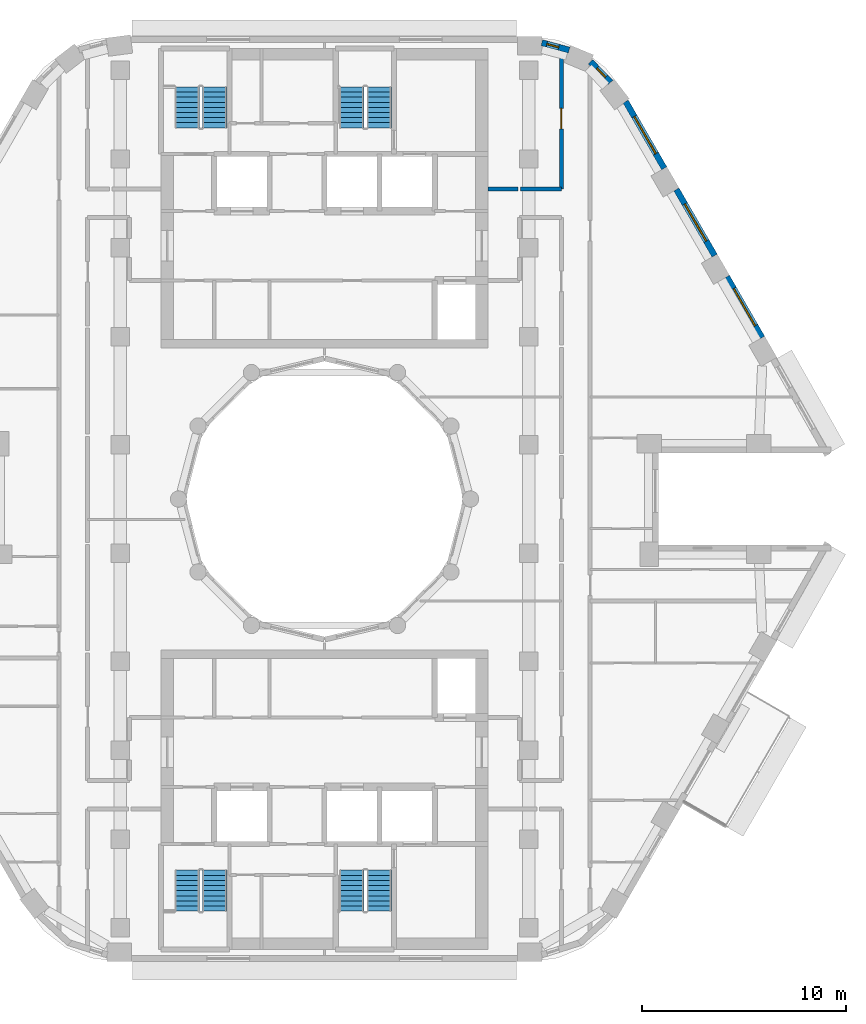
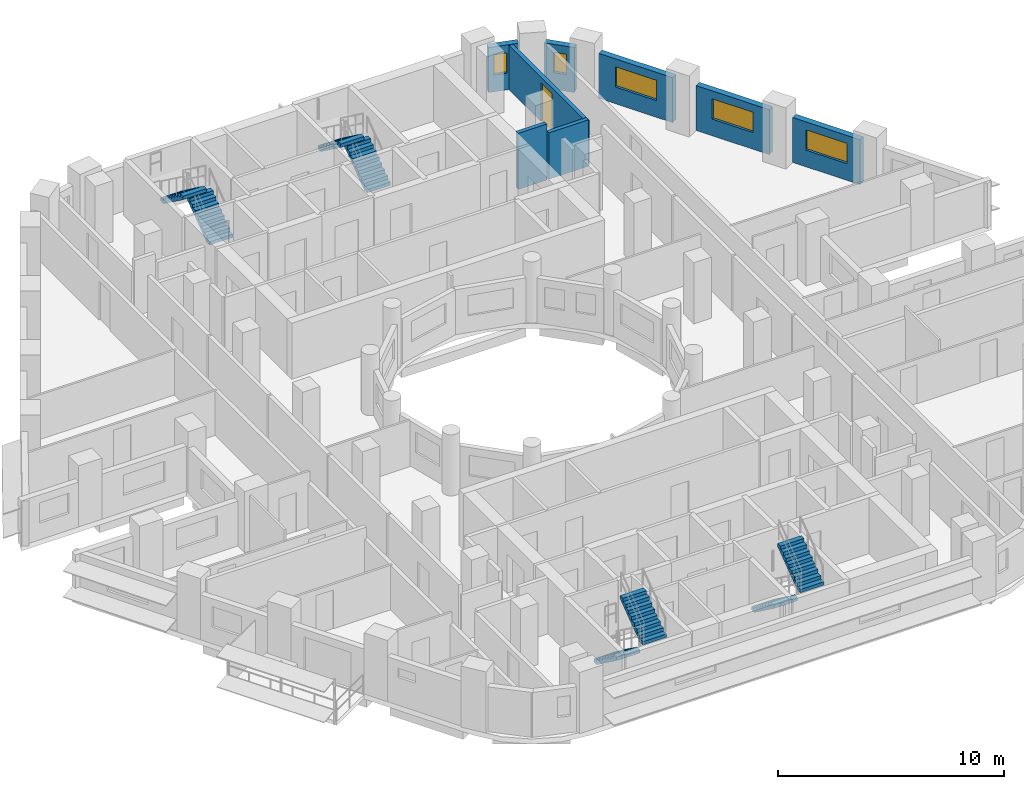
# One storey, part 9 of 15: 8 stair flights, 8 walls, 5 windows, 1 door, 6 openings, 4 elements without a shape of their own.
"""IFC4 building model written with IfcOpenShell, lengths in metres."""

from ifc_helpers import new_model, si_unit, direction, frame, frame_2d, origin, place, context, subcontext, project, spatial, polyline, rectangle, outline, extrude, material, layer, layer_set, type_object, element, fill, aggregate, save


model = new_model("IFC4")

# Units and contexts
model_context = context("Model", 3, precision=1e-05, world=origin(), true_north=direction((0.0, 1.0)))
body_context = subcontext(model_context, "Body", "Model", "MODEL_VIEW")
ifc_project = project(units=[si_unit("LENGTHUNIT", "METRE"), si_unit("AREAUNIT", "SQUARE_METRE"), si_unit("VOLUMEUNIT", "CUBIC_METRE"), si_unit("PLANEANGLEUNIT", "RADIAN"), si_unit("MASSUNIT", "GRAM", prefix="KILO")], contexts=[model_context])

# Site, building, storey
site_placement = place(None, origin())
site = spatial("IfcSite", under=ifc_project, at=site_placement, CompositionType="ELEMENT")
building_placement = place(site_placement, origin())
building = spatial("IfcBuilding", under=site, at=building_placement, Name="Nakaniwa Court", CompositionType="ELEMENT")
storey_placement = place(building_placement, frame((0.0, 0.0, 183.300048828125)))
storey = spatial("IfcBuildingStorey", under=building, at=storey_placement, Name="L47", CompositionType="ELEMENT", Elevation=183.300048828125)

# Wall, opening, door
ifc_material_1 = material(Name="Acoustic double stud partition")
ifc_layer_1 = layer(ifc_material_1, 0.199951171875)
ifc_layer_set_1 = layer_set([ifc_layer_1], Name="Acoustic double stud partition")
wall_type_1 = type_object("IfcWallType", Name="Acoustic double stud partition 200", PredefinedType="PARTITIONING", material=ifc_layer_set_1)
wall_1_placement = place(storey_placement, frame((91.60009765625, 95.175048828125, 0.0), z_axis=(0.0, 0.0, 1.0), x_axis=(0.0, 1.0, 0.0)))
wall_1 = element("IfcWall", 1, at=wall_1_placement, inside=storey, type_object=wall_type_1, Name="Partition PW-073", PredefinedType="PARTITIONING", context=body_context, shape_type="SweptSolid", body=[
    extrude(rectangle(XDim=6.898681640625, YDim=0.199951171875, at=frame_2d((3.44921875, 0.0))), origin(), (0.0, 0.0, 1.0), 2.405029296875),
])
opening_1_placement = place(wall_1_placement, frame((2.949951171875, 0.0, 0.0)))
opening_1 = element("IfcOpeningElement", 2, at=opening_1_placement, cuts=wall_1, Name="Opening D-02-09", PredefinedType="OPENING", context=body_context, shape_type="SweptSolid", body=[
    extrude(rectangle(XDim=1.0, YDim=2.10009765625, at=frame_2d((0.5, 1.050048828125))), frame((0.0, 0.10986328125, 0.0), z_axis=(0.0, -1.0, 0.0), x_axis=(1.0, 0.0, 0.0)), (0.0, 0.0, 1.0), 0.219970703125),
])
ifc_material_2 = material(Name="Solid core timber door set, black veneer", Category="wood")
door_type = type_object("IfcDoorType", Name="Internal door 1000", OperationType="NOTDEFINED", PredefinedType="DOOR", material=ifc_material_2)
door_placement = place(opening_1_placement, origin())
door = element("IfcDoor", 3, at=door_placement, inside=storey, type_object=door_type, Name="Door D-02-09 L47-049", OperationType="SINGLE_SWING_RIGHT", OverallHeight=2.10009765625, OverallWidth=1.0, PredefinedType="DOOR", context=body_context, shape_type="SweptSolid", body=[
    extrude(rectangle(XDim=1.0, YDim=2.10009765625, at=frame_2d((0.5, 1.050048828125))), frame((0.0, 0.02490234375, 0.0), z_axis=(0.0, -1.0, 0.0), x_axis=(1.0, 0.0, 0.0)), (0.0, 0.0, 1.0), 0.050048828125),
])
fill(opening_1, door)

# Walls
wall_2_placement = place(storey_placement, frame((88.0, 95.175048828125, 0.0), z_axis=(0.0, 0.0, 1.0), x_axis=(1.0, 0.0, 0.0)))
element("IfcWall", 4, at=wall_2_placement, inside=storey, type_object=wall_type_1, Name="Partition PW-093", PredefinedType="PARTITIONING", context=body_context, shape_type="SweptSolid", body=[
    extrude(rectangle(XDim=1.472900390625, YDim=0.199951171875, at=frame_2d((0.736328125, 0.0))), origin(), (0.0, 0.0, 1.0), 3.02490234375),
])
wall_3_placement = place(storey_placement, frame((89.587158203125, 95.175048828125, 0.0), z_axis=(0.0, 0.0, 1.0), x_axis=(1.0, 0.0, 0.0)))
element("IfcWall", 5, at=wall_3_placement, inside=storey, type_object=wall_type_1, Name="Partition PW-094", PredefinedType="PARTITIONING", context=body_context, shape_type="SweptSolid", body=[
    extrude(rectangle(XDim=2.012939453125, YDim=0.199951171875, at=frame_2d((1.00634765625, 0.0))), origin(), (0.0, 0.0, 1.0), 2.5048828125),
])

# Wall, opening, window
ifc_material_3 = material(Name="Charcoal ceramic cladding")
ifc_layer_2 = layer(ifc_material_3, 0.02, Name="Ceramic cladding")
ifc_material_4 = material(Name="Ventilated air cavity")
ifc_layer_3 = layer(ifc_material_4, 0.04, ventilated=True, Name="Ventilated cavity")
ifc_material_5 = material(Name="Mineral wool insulation")
ifc_layer_4 = layer(ifc_material_5, 0.1, Name="Insulation")
ifc_material_6 = material(Name="Cement bonded sheathing board")
ifc_layer_5 = layer(ifc_material_6, 0.012, Name="Sheathing")
ifc_material_7 = material(Name="Cold-formed galvanised stud frame with mineral wool infill")
ifc_layer_6 = layer(ifc_material_7, 0.1, Name="Stud frame")
ifc_material_8 = material(Name="Fire-rated gypsum plasterboard lining")
ifc_layer_7 = layer(ifc_material_8, 0.028, Name="Lining")
ifc_layer_set_2 = layer_set([ifc_layer_2, ifc_layer_3, ifc_layer_4, ifc_layer_5, ifc_layer_6, ifc_layer_7], Name="Charcoal ceramic faced external wall system")
wall_type_2 = type_object("IfcWallType", Name="Black ceramic faced external wall 300", PredefinedType="SOLIDWALL", material=ifc_layer_set_2)
wall_4_placement = place(storey_placement, frame((101.420654296875, 87.898193359375, 0.0), z_axis=(0.0, 0.0, 1.0), x_axis=(-0.499955427682, 0.866051136095, 0.0)))
wall_4 = element("IfcWall", 6, at=wall_4_placement, inside=storey, type_object=wall_type_2, Name="L47 external wall 03", PredefinedType="SOLIDWALL", context=body_context, shape_type="SweptSolid", body=[
    extrude(rectangle(XDim=3.447021484375, YDim=0.300048828125, at=frame_2d((1.7236328125, 0.0))), origin(), (0.0, 0.0, 1.0), 2.425048828125),
])
opening_2_placement = place(wall_4_placement, frame((0.673583984375, 0.0, 0.89990234375)))
opening_2 = element("IfcOpeningElement", 7, at=opening_2_placement, cuts=wall_4, Name="Opening W7.03", PredefinedType="OPENING", context=body_context, shape_type="SweptSolid", body=[
    extrude(rectangle(XDim=2.10009765625, YDim=1.10009765625, at=frame_2d((1.050048828125, 0.550048828125))), frame((0.0, 0.159912109375, 0.0), z_axis=(0.0, -1.0, 0.0), x_axis=(1.0, 0.0, 0.0)), (0.0, 0.0, 1.0), 0.320068359375),
])
ifc_material_9 = material(Name="Black anodised aluminium frame with dark low-E laminated double glazing", Category="aluminium")
window_type_1 = type_object("IfcWindowType", Name="Dark glass window 2100x1100 sill 900", PartitioningType="SINGLE_PANEL", PredefinedType="WINDOW", material=ifc_material_9)
window_1_placement = place(opening_2_placement, origin())
window_1 = element("IfcWindow", 8, at=window_1_placement, inside=storey, type_object=window_type_1, Name="L47 habitable room window 03-0", OverallHeight=1.10009765625, OverallWidth=2.10009765625, PartitioningType="SINGLE_PANEL", PredefinedType="WINDOW", context=body_context, shape_type="SweptSolid", body=[
    extrude(rectangle(XDim=2.10009765625, YDim=1.10009765625, at=frame_2d((1.050048828125, 0.550048828125))), frame((0.0, 0.030029296875, 0.0), z_axis=(0.0, -1.0, 0.0), x_axis=(1.0, 0.0, 0.0)), (0.0, 0.0, 1.0), 0.06005859375),
])
fill(opening_2, window_1)

wall_5_placement = place(storey_placement, frame((99.101318359375, 91.916015625, 0.0), z_axis=(0.0, 0.0, 1.0), x_axis=(-0.500059225181, 0.86599120741, 0.0)))
wall_5 = element("IfcWall", 9, at=wall_5_placement, inside=storey, type_object=wall_type_2, Name="L47 external wall 04", PredefinedType="SOLIDWALL", context=body_context, shape_type="SweptSolid", body=[
    extrude(rectangle(XDim=3.744140625, YDim=0.300048828125, at=frame_2d((1.8720703125, 0.0))), origin(), (0.0, 0.0, 1.0), 2.425048828125),
])
opening_3_placement = place(wall_5_placement, frame((0.822265625, 0.0, 0.89990234375)))
opening_3 = element("IfcOpeningElement", 10, at=opening_3_placement, cuts=wall_5, Name="Opening W7.04", PredefinedType="OPENING", context=body_context, shape_type="SweptSolid", body=[
    extrude(rectangle(XDim=2.10009765625, YDim=1.10009765625, at=frame_2d((1.050048828125, 0.550048828125))), frame((0.0, 0.159912109375, 0.0), z_axis=(0.0, -1.0, 0.0), x_axis=(1.0, 0.0, 0.0)), (0.0, 0.0, 1.0), 0.320068359375),
])
window_2_placement = place(opening_3_placement, origin())
window_2 = element("IfcWindow", 11, at=window_2_placement, inside=storey, type_object=window_type_1, Name="L47 habitable room window 04-0", OverallHeight=1.10009765625, OverallWidth=2.10009765625, PartitioningType="SINGLE_PANEL", PredefinedType="WINDOW", context=body_context, shape_type="SweptSolid", body=[
    extrude(rectangle(XDim=2.10009765625, YDim=1.10009765625, at=frame_2d((1.050048828125, 0.550048828125))), frame((0.0, 0.030029296875, 0.0), z_axis=(0.0, -1.0, 0.0), x_axis=(1.0, 0.0, 0.0)), (0.0, 0.0, 1.0), 0.06005859375),
])
fill(opening_3, window_2)

wall_6_placement = place(storey_placement, frame((96.633056640625, 96.190673828125, 0.0), z_axis=(0.0, 0.0, 1.0), x_axis=(-0.499961087031, 0.866047869032, 0.0)))
wall_6 = element("IfcWall", 12, at=wall_6_placement, inside=storey, type_object=wall_type_2, Name="L47 external wall 05", PredefinedType="SOLIDWALL", context=body_context, shape_type="SweptSolid", body=[
    extrude(rectangle(XDim=3.778564453125, YDim=0.300048828125, at=frame_2d((1.88916015625, 0.0))), origin(), (0.0, 0.0, 1.0), 2.425048828125),
])
opening_4_placement = place(wall_6_placement, frame((0.827880859375, 0.0, 0.89990234375)))
opening_4 = element("IfcOpeningElement", 13, at=opening_4_placement, cuts=wall_6, Name="Opening W7.05", PredefinedType="OPENING", context=body_context, shape_type="SweptSolid", body=[
    extrude(rectangle(XDim=2.10009765625, YDim=1.10009765625, at=frame_2d((1.050048828125, 0.550048828125))), frame((0.0, 0.159912109375, 0.0), z_axis=(0.0, -1.0, 0.0), x_axis=(1.0, 0.0, 0.0)), (0.0, 0.0, 1.0), 0.320068359375),
])
window_3_placement = place(opening_4_placement, origin())
window_3 = element("IfcWindow", 14, at=window_3_placement, inside=storey, type_object=window_type_1, Name="L47 habitable room window 05-0", OverallHeight=1.10009765625, OverallWidth=2.10009765625, PartitioningType="SINGLE_PANEL", PredefinedType="WINDOW", context=body_context, shape_type="SweptSolid", body=[
    extrude(rectangle(XDim=2.10009765625, YDim=1.10009765625, at=frame_2d((1.050048828125, 0.550048828125))), frame((0.0, 0.030029296875, 0.0), z_axis=(0.0, -1.0, 0.0), x_axis=(1.0, 0.0, 0.0)), (0.0, 0.0, 1.0), 0.06005859375),
])
fill(opening_4, window_3)

wall_7_placement = place(storey_placement, frame((94.009033203125, 100.40185546875, 0.0), z_axis=(0.0, 0.0, 1.0), x_axis=(-0.69817596362, 0.715926199984, 0.0)))
wall_7 = element("IfcWall", 15, at=wall_7_placement, inside=storey, type_object=wall_type_2, Name="L47 external wall 06", PredefinedType="SOLIDWALL", context=body_context, shape_type="SweptSolid", body=[
    extrude(rectangle(XDim=1.40283203125, YDim=0.300048828125, at=frame_2d((0.701416015625, 0.0))), origin(), (0.0, 0.0, 1.0), 2.425048828125),
])
opening_5_placement = place(wall_7_placement, frame((0.35986328125, 0.0, 0.89990234375)))
opening_5 = element("IfcOpeningElement", 16, at=opening_5_placement, cuts=wall_7, Name="Opening W8.06", PredefinedType="OPENING", context=body_context, shape_type="SweptSolid", body=[
    extrude(rectangle(XDim=0.60009765625, YDim=1.10009765625, at=frame_2d((0.300048828125, 0.550048828125))), frame((0.0, 0.159912109375, 0.0), z_axis=(0.0, -1.0, 0.0), x_axis=(1.0, 0.0, 0.0)), (0.0, 0.0, 1.0), 0.320068359375),
])
window_type_2 = type_object("IfcWindowType", Name="Dark glass window 600x1100 sill 900", PartitioningType="SINGLE_PANEL", PredefinedType="WINDOW", material=ifc_material_9)
window_4_placement = place(opening_5_placement, origin())
window_4 = element("IfcWindow", 17, at=window_4_placement, inside=storey, type_object=window_type_2, Name="L47 habitable room window 06-0", OverallHeight=1.10009765625, OverallWidth=0.60009765625, PartitioningType="SINGLE_PANEL", PredefinedType="WINDOW", context=body_context, shape_type="SweptSolid", body=[
    extrude(rectangle(XDim=0.60009765625, YDim=1.10009765625, at=frame_2d((0.300048828125, 0.550048828125))), frame((0.0, 0.030029296875, 0.0), z_axis=(0.0, -1.0, 0.0), x_axis=(1.0, 0.0, 0.0)), (0.0, 0.0, 1.0), 0.06005859375),
])
fill(opening_5, window_4)

wall_8_placement = place(storey_placement, frame((91.977294921875, 101.981201171875, 0.0), z_axis=(0.0, 0.0, 1.0), x_axis=(-0.965315341278, 0.261086751661, 0.0)))
wall_8 = element("IfcWall", 18, at=wall_8_placement, inside=storey, type_object=wall_type_2, Name="L47 external wall 07", PredefinedType="SOLIDWALL", context=body_context, shape_type="SweptSolid", body=[
    extrude(rectangle(XDim=1.384033203125, YDim=0.300048828125, at=frame_2d((0.69189453125, 0.0))), origin(), (0.0, 0.0, 1.0), 2.425048828125),
])
opening_6_placement = place(wall_8_placement, frame((0.529296875, 0.0, 0.89990234375)))
opening_6 = element("IfcOpeningElement", 19, at=opening_6_placement, cuts=wall_8, Name="Opening W8.07", PredefinedType="OPENING", context=body_context, shape_type="SweptSolid", body=[
    extrude(rectangle(XDim=0.60009765625, YDim=1.10009765625, at=frame_2d((0.300048828125, 0.550048828125))), frame((0.0, 0.159912109375, 0.0), z_axis=(0.0, -1.0, 0.0), x_axis=(1.0, 0.0, 0.0)), (0.0, 0.0, 1.0), 0.320068359375),
])
window_5_placement = place(opening_6_placement, origin())
window_5 = element("IfcWindow", 20, at=window_5_placement, inside=storey, type_object=window_type_2, Name="L47 habitable room window 07-1", OverallHeight=1.10009765625, OverallWidth=0.60009765625, PartitioningType="SINGLE_PANEL", PredefinedType="WINDOW", context=body_context, shape_type="SweptSolid", body=[
    extrude(rectangle(XDim=0.60009765625, YDim=1.10009765625, at=frame_2d((0.300048828125, 0.550048828125))), frame((0.0, 0.030029296875, 0.0), z_axis=(0.0, -1.0, 0.0), x_axis=(1.0, 0.0, 0.0)), (0.0, 0.0, 1.0), 0.06005859375),
])
fill(opening_6, window_5)

# Stair, stair flights
ifc_material_10 = material(Name="Concrete C80/100", Category="concrete")
stair_type = type_object("IfcStairType", Name="Dog leg stair 1200 wide 18 risers", PredefinedType="HALF_TURN_STAIR", material=ifc_material_10)
stair_1_placement = place(storey_placement, origin())
stair_1 = element("IfcStair", 21, at=stair_1_placement, inside=storey, type_object=stair_type, Name="L47 Stair ST1", PredefinedType="HALF_TURN_STAIR")
stair_flight_type = type_object("IfcStairFlightType", Name="Stair flight 1200 wide 9 risers", PredefinedType="STRAIGHT", material=ifc_material_10)
stair_flight_1_placement = place(storey_placement, frame((74.625, 98.175048828125, 0.0), z_axis=(0.0, 0.0, 1.0), x_axis=(0.0, 1.0, 0.0)))
stair_flight_1 = element("IfcStairFlight", 22, at=stair_flight_1_placement, type_object=stair_flight_type, Name="ST1 flight 1", NumberOfRisers=9, NumberOfTreads=8, PredefinedType="STRAIGHT", RiserHeight=0.183333333, TreadLength=0.25, context=body_context, shape_type="SweptSolid", body=[
    extrude(outline(polyline([(0.0, 0.0), (0.0, 0.026123046875), (0.0, 0.052490234375), (0.0, 0.07861328125), (0.0, 0.104736328125), (0.0, 0.130859375), (0.0, 0.1572265625), (0.0, 0.183349609375), (0.25, 0.183349609375), (0.25, 0.36669921875), (0.5, 0.36669921875), (0.5, 0.550048828125), (0.75, 0.550048828125), (0.75, 0.7333984375), (1.0, 0.7333984375), (1.0, 0.916748046875), (1.25, 0.916748046875), (1.25, 1.10009765625), (1.5, 1.10009765625), (1.5, 1.283447265625), (1.75, 1.283447265625), (1.75, 1.466552734375), (2.0, 1.466552734375), (2.0, 1.64990234375), (2.0, 1.59716796875), (2.0, 1.54443359375), (2.0, 1.49169921875), (2.0, 1.43896484375), (2.0, 1.38623046875), (2.0, 1.33349609375), (2.0, 1.28076171875), (0.25341796875, 0.0), (0.0, 0.0)])), frame((0.0, 0.60009765625, 0.0), z_axis=(0.0, -1.0, 0.0), x_axis=(1.0, 0.0, 0.0)), (0.0, 0.0, 1.0), 1.199951171875),
])
stair_flight_2_placement = place(storey_placement, frame((73.27490234375, 100.175048828125, 1.64990234375), z_axis=(0.0, 0.0, 1.0), x_axis=(0.0, -1.0, 0.0)))
stair_flight_2 = element("IfcStairFlight", 23, at=stair_flight_2_placement, type_object=stair_flight_type, Name="ST1 flight 2", NumberOfRisers=9, NumberOfTreads=8, PredefinedType="STRAIGHT", RiserHeight=0.183333333, TreadLength=0.25, context=body_context, shape_type="SweptSolid", body=[
    extrude(outline(polyline([(0.0, 0.0), (0.0, 0.026123046875), (0.0, 0.052490234375), (0.0, 0.07861328125), (0.0, 0.104736328125), (0.0, 0.130859375), (0.0, 0.1572265625), (0.0, 0.183349609375), (0.25, 0.183349609375), (0.25, 0.36669921875), (0.5, 0.36669921875), (0.5, 0.550048828125), (0.75, 0.550048828125), (0.75, 0.7333984375), (1.0, 0.7333984375), (1.0, 0.916748046875), (1.25, 0.916748046875), (1.25, 1.10009765625), (1.5, 1.10009765625), (1.5, 1.283447265625), (1.75, 1.283447265625), (1.75, 1.466552734375), (2.0, 1.466552734375), (2.0, 1.64990234375), (2.0, 1.59716796875), (2.0, 1.54443359375), (2.0, 1.49169921875), (2.0, 1.43896484375), (2.0, 1.38623046875), (2.0, 1.33349609375), (2.0, 1.28076171875), (0.25341796875, 0.0), (0.0, 0.0)])), frame((0.0, 0.60009765625, 0.0), z_axis=(0.0, -1.0, 0.0), x_axis=(1.0, 0.0, 0.0)), (0.0, 0.0, 1.0), 1.199951171875),
])
aggregate(stair_1, [stair_flight_1, stair_flight_2])

stair_2_placement = place(storey_placement, origin())
stair_2 = element("IfcStair", 24, at=stair_2_placement, inside=storey, type_object=stair_type, Name="L47 Stair ST2", PredefinedType="HALF_TURN_STAIR")
stair_flight_3_placement = place(storey_placement, frame((82.675048828125, 98.175048828125, 0.0), z_axis=(0.0, 0.0, 1.0), x_axis=(0.0, 1.0, 0.0)))
stair_flight_3 = element("IfcStairFlight", 25, at=stair_flight_3_placement, type_object=stair_flight_type, Name="ST2 flight 1", NumberOfRisers=9, NumberOfTreads=8, PredefinedType="STRAIGHT", RiserHeight=0.183333333, TreadLength=0.25, context=body_context, shape_type="SweptSolid", body=[
    extrude(outline(polyline([(0.0, 0.0), (0.0, 0.026123046875), (0.0, 0.052490234375), (0.0, 0.07861328125), (0.0, 0.104736328125), (0.0, 0.130859375), (0.0, 0.1572265625), (0.0, 0.183349609375), (0.25, 0.183349609375), (0.25, 0.36669921875), (0.5, 0.36669921875), (0.5, 0.550048828125), (0.75, 0.550048828125), (0.75, 0.7333984375), (1.0, 0.7333984375), (1.0, 0.916748046875), (1.25, 0.916748046875), (1.25, 1.10009765625), (1.5, 1.10009765625), (1.5, 1.283447265625), (1.75, 1.283447265625), (1.75, 1.466552734375), (2.0, 1.466552734375), (2.0, 1.64990234375), (2.0, 1.59716796875), (2.0, 1.54443359375), (2.0, 1.49169921875), (2.0, 1.43896484375), (2.0, 1.38623046875), (2.0, 1.33349609375), (2.0, 1.28076171875), (0.25341796875, 0.0), (0.0, 0.0)])), frame((0.0, 0.60009765625, 0.0), z_axis=(0.0, -1.0, 0.0), x_axis=(1.0, 0.0, 0.0)), (0.0, 0.0, 1.0), 1.199951171875),
])
stair_flight_4_placement = place(storey_placement, frame((81.324951171875, 100.175048828125, 1.64990234375), z_axis=(0.0, 0.0, 1.0), x_axis=(0.0, -1.0, 0.0)))
stair_flight_4 = element("IfcStairFlight", 26, at=stair_flight_4_placement, type_object=stair_flight_type, Name="ST2 flight 2", NumberOfRisers=9, NumberOfTreads=8, PredefinedType="STRAIGHT", RiserHeight=0.183333333, TreadLength=0.25, context=body_context, shape_type="SweptSolid", body=[
    extrude(outline(polyline([(0.0, 0.0), (0.0, 0.026123046875), (0.0, 0.052490234375), (0.0, 0.07861328125), (0.0, 0.104736328125), (0.0, 0.130859375), (0.0, 0.1572265625), (0.0, 0.183349609375), (0.25, 0.183349609375), (0.25, 0.36669921875), (0.5, 0.36669921875), (0.5, 0.550048828125), (0.75, 0.550048828125), (0.75, 0.7333984375), (1.0, 0.7333984375), (1.0, 0.916748046875), (1.25, 0.916748046875), (1.25, 1.10009765625), (1.5, 1.10009765625), (1.5, 1.283447265625), (1.75, 1.283447265625), (1.75, 1.466552734375), (2.0, 1.466552734375), (2.0, 1.64990234375), (2.0, 1.59716796875), (2.0, 1.54443359375), (2.0, 1.49169921875), (2.0, 1.43896484375), (2.0, 1.38623046875), (2.0, 1.33349609375), (2.0, 1.28076171875), (0.25341796875, 0.0), (0.0, 0.0)])), frame((0.0, 0.60009765625, 0.0), z_axis=(0.0, -1.0, 0.0), x_axis=(1.0, 0.0, 0.0)), (0.0, 0.0, 1.0), 1.199951171875),
])
aggregate(stair_2, [stair_flight_3, stair_flight_4])

stair_3_placement = place(storey_placement, origin())
stair_3 = element("IfcStair", 27, at=stair_3_placement, inside=storey, type_object=stair_type, Name="L47 Stair ST3", PredefinedType="HALF_TURN_STAIR")
stair_flight_5_placement = place(storey_placement, frame((73.27490234375, 61.824951171875, 0.0), z_axis=(0.0, 0.0, 1.0), x_axis=(0.0, -1.0, 0.0)))
stair_flight_5 = element("IfcStairFlight", 28, at=stair_flight_5_placement, type_object=stair_flight_type, Name="ST3 flight 1", NumberOfRisers=9, NumberOfTreads=8, PredefinedType="STRAIGHT", RiserHeight=0.183333333, TreadLength=0.25, context=body_context, shape_type="SweptSolid", body=[
    extrude(outline(polyline([(0.0, 0.0), (0.0, 0.026123046875), (0.0, 0.052490234375), (0.0, 0.07861328125), (0.0, 0.104736328125), (0.0, 0.130859375), (0.0, 0.1572265625), (0.0, 0.183349609375), (0.25, 0.183349609375), (0.25, 0.36669921875), (0.5, 0.36669921875), (0.5, 0.550048828125), (0.75, 0.550048828125), (0.75, 0.7333984375), (1.0, 0.7333984375), (1.0, 0.916748046875), (1.25, 0.916748046875), (1.25, 1.10009765625), (1.5, 1.10009765625), (1.5, 1.283447265625), (1.75, 1.283447265625), (1.75, 1.466552734375), (2.0, 1.466552734375), (2.0, 1.64990234375), (2.0, 1.59716796875), (2.0, 1.54443359375), (2.0, 1.49169921875), (2.0, 1.43896484375), (2.0, 1.38623046875), (2.0, 1.33349609375), (2.0, 1.28076171875), (0.25341796875, 0.0), (0.0, 0.0)])), frame((0.0, 0.60009765625, 0.0), z_axis=(0.0, -1.0, 0.0), x_axis=(1.0, 0.0, 0.0)), (0.0, 0.0, 1.0), 1.199951171875),
])
stair_flight_6_placement = place(storey_placement, frame((74.625, 59.824951171875, 1.64990234375), z_axis=(0.0, 0.0, 1.0), x_axis=(0.0, 1.0, 0.0)))
stair_flight_6 = element("IfcStairFlight", 29, at=stair_flight_6_placement, type_object=stair_flight_type, Name="ST3 flight 2", NumberOfRisers=9, NumberOfTreads=8, PredefinedType="STRAIGHT", RiserHeight=0.183333333, TreadLength=0.25, context=body_context, shape_type="SweptSolid", body=[
    extrude(outline(polyline([(0.0, 0.0), (0.0, 0.026123046875), (0.0, 0.052490234375), (0.0, 0.07861328125), (0.0, 0.104736328125), (0.0, 0.130859375), (0.0, 0.1572265625), (0.0, 0.183349609375), (0.25, 0.183349609375), (0.25, 0.36669921875), (0.5, 0.36669921875), (0.5, 0.550048828125), (0.75, 0.550048828125), (0.75, 0.7333984375), (1.0, 0.7333984375), (1.0, 0.916748046875), (1.25, 0.916748046875), (1.25, 1.10009765625), (1.5, 1.10009765625), (1.5, 1.283447265625), (1.75, 1.283447265625), (1.75, 1.466552734375), (2.0, 1.466552734375), (2.0, 1.64990234375), (2.0, 1.59716796875), (2.0, 1.54443359375), (2.0, 1.49169921875), (2.0, 1.43896484375), (2.0, 1.38623046875), (2.0, 1.33349609375), (2.0, 1.28076171875), (0.25341796875, 0.0), (0.0, 0.0)])), frame((0.0, 0.60009765625, 0.0), z_axis=(0.0, -1.0, 0.0), x_axis=(1.0, 0.0, 0.0)), (0.0, 0.0, 1.0), 1.199951171875),
])
aggregate(stair_3, [stair_flight_5, stair_flight_6])

stair_4_placement = place(storey_placement, origin())
stair_4 = element("IfcStair", 30, at=stair_4_placement, inside=storey, type_object=stair_type, Name="L47 Stair ST4", PredefinedType="HALF_TURN_STAIR")
stair_flight_7_placement = place(storey_placement, frame((81.324951171875, 61.824951171875, 0.0), z_axis=(0.0, 0.0, 1.0), x_axis=(0.0, -1.0, 0.0)))
stair_flight_7 = element("IfcStairFlight", 31, at=stair_flight_7_placement, type_object=stair_flight_type, Name="ST4 flight 1", NumberOfRisers=9, NumberOfTreads=8, PredefinedType="STRAIGHT", RiserHeight=0.183333333, TreadLength=0.25, context=body_context, shape_type="SweptSolid", body=[
    extrude(outline(polyline([(0.0, 0.0), (0.0, 0.026123046875), (0.0, 0.052490234375), (0.0, 0.07861328125), (0.0, 0.104736328125), (0.0, 0.130859375), (0.0, 0.1572265625), (0.0, 0.183349609375), (0.25, 0.183349609375), (0.25, 0.36669921875), (0.5, 0.36669921875), (0.5, 0.550048828125), (0.75, 0.550048828125), (0.75, 0.7333984375), (1.0, 0.7333984375), (1.0, 0.916748046875), (1.25, 0.916748046875), (1.25, 1.10009765625), (1.5, 1.10009765625), (1.5, 1.283447265625), (1.75, 1.283447265625), (1.75, 1.466552734375), (2.0, 1.466552734375), (2.0, 1.64990234375), (2.0, 1.59716796875), (2.0, 1.54443359375), (2.0, 1.49169921875), (2.0, 1.43896484375), (2.0, 1.38623046875), (2.0, 1.33349609375), (2.0, 1.28076171875), (0.25341796875, 0.0), (0.0, 0.0)])), frame((0.0, 0.60009765625, 0.0), z_axis=(0.0, -1.0, 0.0), x_axis=(1.0, 0.0, 0.0)), (0.0, 0.0, 1.0), 1.199951171875),
])
stair_flight_8_placement = place(storey_placement, frame((82.675048828125, 59.824951171875, 1.64990234375), z_axis=(0.0, 0.0, 1.0), x_axis=(0.0, 1.0, 0.0)))
stair_flight_8 = element("IfcStairFlight", 32, at=stair_flight_8_placement, type_object=stair_flight_type, Name="ST4 flight 2", NumberOfRisers=9, NumberOfTreads=8, PredefinedType="STRAIGHT", RiserHeight=0.183333333, TreadLength=0.25, context=body_context, shape_type="SweptSolid", body=[
    extrude(outline(polyline([(0.0, 0.0), (0.0, 0.026123046875), (0.0, 0.052490234375), (0.0, 0.07861328125), (0.0, 0.104736328125), (0.0, 0.130859375), (0.0, 0.1572265625), (0.0, 0.183349609375), (0.25, 0.183349609375), (0.25, 0.36669921875), (0.5, 0.36669921875), (0.5, 0.550048828125), (0.75, 0.550048828125), (0.75, 0.7333984375), (1.0, 0.7333984375), (1.0, 0.916748046875), (1.25, 0.916748046875), (1.25, 1.10009765625), (1.5, 1.10009765625), (1.5, 1.283447265625), (1.75, 1.283447265625), (1.75, 1.466552734375), (2.0, 1.466552734375), (2.0, 1.64990234375), (2.0, 1.59716796875), (2.0, 1.54443359375), (2.0, 1.49169921875), (2.0, 1.43896484375), (2.0, 1.38623046875), (2.0, 1.33349609375), (2.0, 1.28076171875), (0.25341796875, 0.0), (0.0, 0.0)])), frame((0.0, 0.60009765625, 0.0), z_axis=(0.0, -1.0, 0.0), x_axis=(1.0, 0.0, 0.0)), (0.0, 0.0, 1.0), 1.199951171875),
])
aggregate(stair_4, [stair_flight_7, stair_flight_8])

save(model, "model.ifc")
